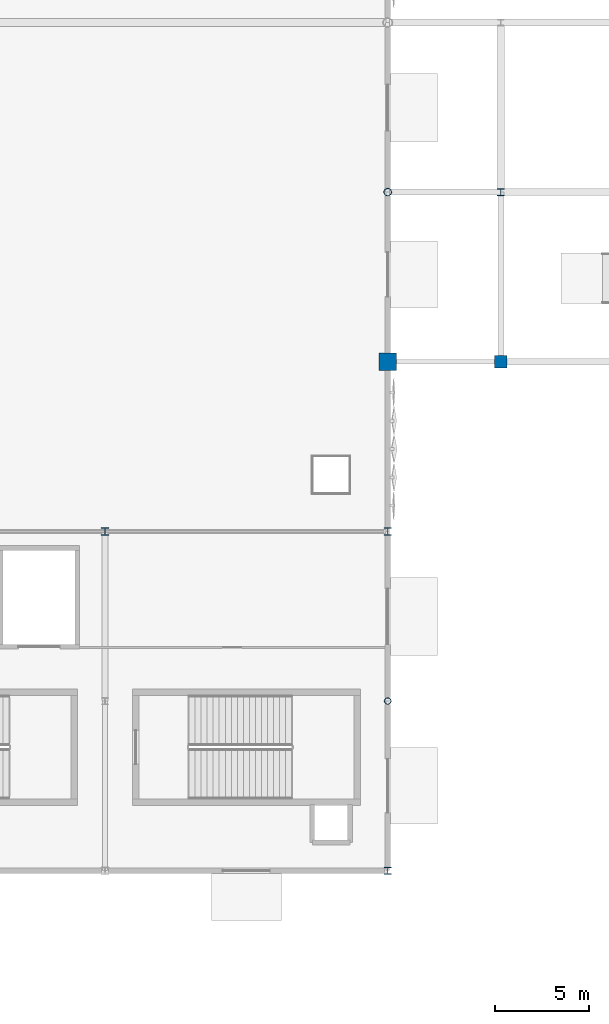
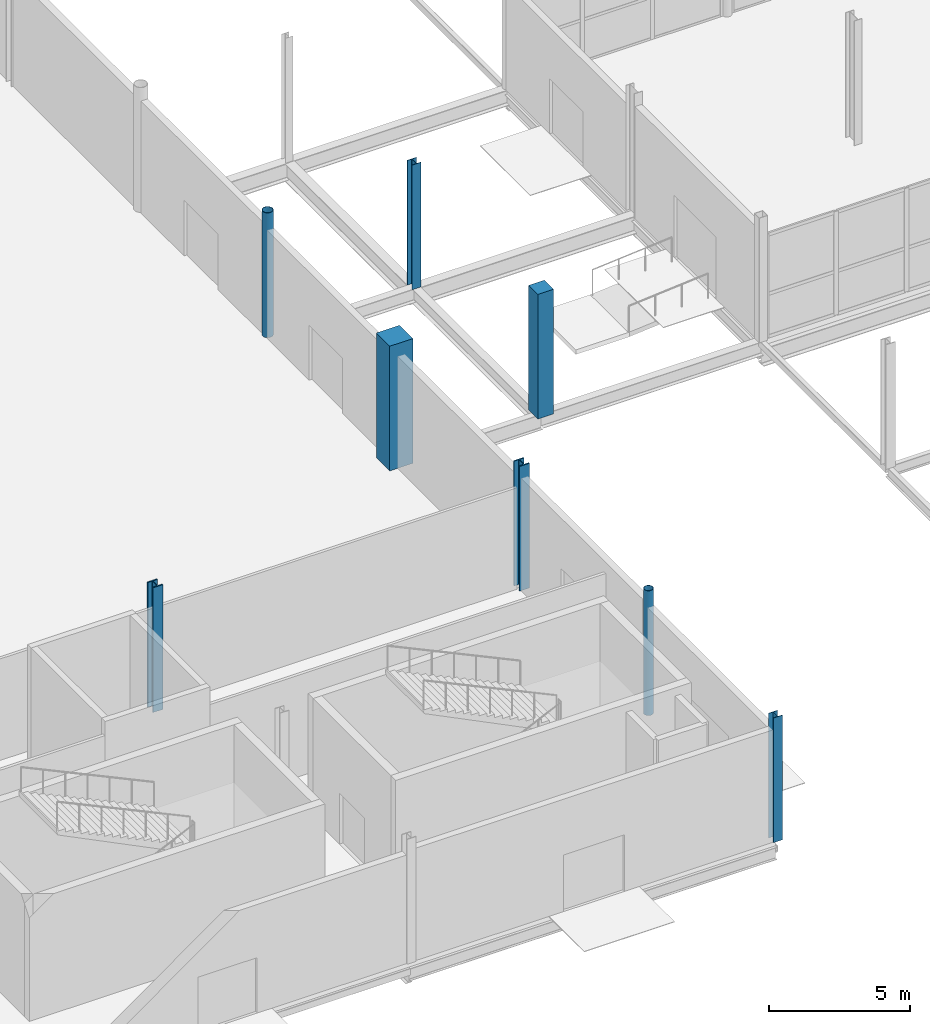
# One storey, part 5 of 94: 8 columns.
"""IFC4 building model written with IfcOpenShell, lengths in metres."""

from ifc_helpers import new_model, si_unit, direction, frame, origin, origin_2d, place, context, subcontext, project, spatial, rectangle, hollow_circle, i_section, extrude, material, material_profile, profile_set, type_object, element, save


model = new_model("IFC4")

# Units and contexts
model_context = context("Model", 3, precision=1e-05, world=origin(), true_north=direction((0.0, 1.0)))
body_context = subcontext(model_context, "Body", "Model", "MODEL_VIEW")
ifc_project = project(units=[si_unit("LENGTHUNIT", "METRE"), si_unit("AREAUNIT", "SQUARE_METRE"), si_unit("VOLUMEUNIT", "CUBIC_METRE"), si_unit("PLANEANGLEUNIT", "RADIAN"), si_unit("MASSUNIT", "GRAM", prefix="KILO")], contexts=[model_context])

# Site, building, storey
site_placement = place(None, origin())
site = spatial("IfcSite", under=ifc_project, at=site_placement, CompositionType="ELEMENT")
building_placement = place(site_placement, origin())
building = spatial("IfcBuilding", under=site, at=building_placement, Name="Qamarlyn Nura Convention Centre", CompositionType="ELEMENT")
storey_placement = place(building_placement, origin())
storey = spatial("IfcBuildingStorey", under=building, at=storey_placement, Name="L00", CompositionType="ELEMENT", Elevation=0.0)

# Columns
ifc_material_1 = material(Name="Concrete C50/60", Category="concrete")
ifc_material_profile_1 = material_profile(ifc_material_1, rectangle(XDim=0.949951171875, YDim=0.949951171875, at=origin_2d()), Name="RC 950x950")
ifc_profile_set_1 = profile_set([ifc_material_profile_1], Name="Concrete C50/60")
column_type_1 = type_object("IfcColumnType", Name="COL-HALL-2", PredefinedType="COLUMN", material=ifc_profile_set_1)
column_1_placement = place(storey_placement, frame((120.0, 27.0, 0.0), z_axis=(0.0, 0.0, 1.0), x_axis=(1.0, 0.0, 0.0)))
element("IfcColumn", 1, at=column_1_placement, inside=storey, type_object=column_type_1, Name="L00 column 9/D", PredefinedType="COLUMN", context=body_context, shape_type="SweptSolid", body=[
    extrude(rectangle(XDim=0.949951171875, YDim=0.949951171875, at=origin_2d()), origin(), (0.0, 0.0, 1.0), 5.39990234375),
])
ifc_material_2 = material(Name="Steel ASTM A992", Category="steel")
ifc_material_profile_2 = material_profile(ifc_material_2, i_section(OverallWidth=0.408935546875, OverallDepth=0.425048828125, WebThickness=0.030517578125, FlangeThickness=0.049072265625, FilletRadius=0.02001953125, at=origin_2d()), Name="W360X421")
ifc_profile_set_2 = profile_set([ifc_material_profile_2], Name="Steel ASTM A992")
column_type_2 = type_object("IfcColumnType", Name="COL-MEGA-1", PredefinedType="COLUMN", material=ifc_profile_set_2)
for number, where, z_axis, x_axis, name in (
    (2, (105.0, 18.0, 0.0), (0.0, 0.0, 1.0), (1.0, 0.0, 0.0), "L00 column 8/C"),
    (3, (120.0, 18.0, 0.0), (0.0, 0.0, 1.0), (1.0, 0.0, 0.0), "L00 column 9/C"),
):
    element("IfcColumn", number, at=place(storey_placement, frame(where, z_axis=z_axis, x_axis=x_axis)), inside=storey, type_object=column_type_2, Name=name, PredefinedType="COLUMN", context=body_context, shape_type="SweptSolid", body=[
        extrude(i_section(OverallWidth=0.408935546875, OverallDepth=0.425048828125, WebThickness=0.030517578125, FlangeThickness=0.049072265625, FilletRadius=0.02001953125, at=origin_2d()), origin(), (0.0, 0.0, 1.0), 5.39990234375),
    ])
ifc_material_profile_3 = material_profile(ifc_material_1, rectangle(XDim=0.64990234375, YDim=0.64990234375, at=origin_2d()), Name="RC 650x650")
ifc_profile_set_3 = profile_set([ifc_material_profile_3], Name="Concrete C50/60")
column_type_3 = type_object("IfcColumnType", Name="COL-SUB-3", PredefinedType="COLUMN", material=ifc_profile_set_3)
column_2_placement = place(storey_placement, frame((126.0, 27.0, 0.0), z_axis=(0.0, 0.0, 1.0), x_axis=(1.0, 0.0, 0.0)))
element("IfcColumn", 4, at=column_2_placement, inside=storey, type_object=column_type_3, Name="L00 column 10/D", PredefinedType="COLUMN", context=body_context, shape_type="SweptSolid", body=[
    extrude(rectangle(XDim=0.64990234375, YDim=0.64990234375, at=origin_2d()), origin(), (0.0, 0.0, 1.0), 5.39990234375),
])
ifc_material_3 = material(Name="Pearl-white PVDF steel ASTM A500 Grade C", Category="steel")
ifc_material_profile_4 = material_profile(ifc_material_3, hollow_circle(Radius=0.203125, WallThickness=0.01611328125, at=origin_2d()), Name="CHS406.4X16")
ifc_profile_set_4 = profile_set([ifc_material_profile_4], Name="Pearl-white PVDF steel ASTM A500 Grade C")
column_type_4 = type_object("IfcColumnType", Name="COL-TUBE-1", PredefinedType="COLUMN", material=ifc_profile_set_4)
column_3_placement = place(storey_placement, frame((120.0, 36.0, 0.0), z_axis=(0.0, 0.0, 1.0), x_axis=(1.0, 0.0, 0.0)))
element("IfcColumn", 5, at=column_3_placement, inside=storey, type_object=column_type_4, Name="L00 column 9/E", PredefinedType="COLUMN", context=body_context, shape_type="SweptSolid", body=[
    extrude(hollow_circle(Radius=0.203125, WallThickness=0.01611328125, at=origin_2d()), origin(), (0.0, 0.0, 1.0), 5.39990234375),
])
ifc_material_profile_5 = material_profile(ifc_material_3, hollow_circle(Radius=0.177734375, WallThickness=0.01611328125, at=origin_2d()), Name="CHS355.6X16")
ifc_profile_set_5 = profile_set([ifc_material_profile_5], Name="Pearl-white PVDF steel ASTM A500 Grade C")
column_type_5 = type_object("IfcColumnType", Name="COL-TUBE-2", PredefinedType="COLUMN", material=ifc_profile_set_5)
column_4_placement = place(storey_placement, frame((120.0, 9.0, 0.0), z_axis=(0.0, 0.0, 1.0), x_axis=(1.0, 0.0, 0.0)))
element("IfcColumn", 6, at=column_4_placement, inside=storey, type_object=column_type_5, Name="L00 column 9/B", PredefinedType="COLUMN", context=body_context, shape_type="SweptSolid", body=[
    extrude(hollow_circle(Radius=0.177734375, WallThickness=0.01611328125, at=origin_2d()), origin(), (0.0, 0.0, 1.0), 5.39990234375),
])
ifc_material_profile_6 = material_profile(ifc_material_2, i_section(OverallWidth=0.368896484375, OverallDepth=0.35595703125, WebThickness=0.01123046875, FlangeThickness=0.01806640625, FilletRadius=0.014892578125, at=origin_2d()), Name="W360X134")
ifc_profile_set_6 = profile_set([ifc_material_profile_6], Name="Steel ASTM A992")
column_type_6 = type_object("IfcColumnType", Name="COL-WING-3", PredefinedType="COLUMN", material=ifc_profile_set_6)
for number, where, z_axis, x_axis, name in (
    (7, (120.0, 0.0, 0.0), (0.0, 0.0, 1.0), (1.0, 0.0, 0.0), "L00 column 9/A"),
    (8, (126.0, 36.0, 0.0), (0.0, 0.0, 1.0), (1.0, 0.0, 0.0), "L00 column 10/E"),
):
    element("IfcColumn", number, at=place(storey_placement, frame(where, z_axis=z_axis, x_axis=x_axis)), inside=storey, type_object=column_type_6, Name=name, PredefinedType="COLUMN", context=body_context, shape_type="SweptSolid", body=[
        extrude(i_section(OverallWidth=0.368896484375, OverallDepth=0.35595703125, WebThickness=0.01123046875, FlangeThickness=0.01806640625, FilletRadius=0.014892578125, at=origin_2d()), origin(), (0.0, 0.0, 1.0), 5.39990234375),
    ])

save(model, "model.ifc")
